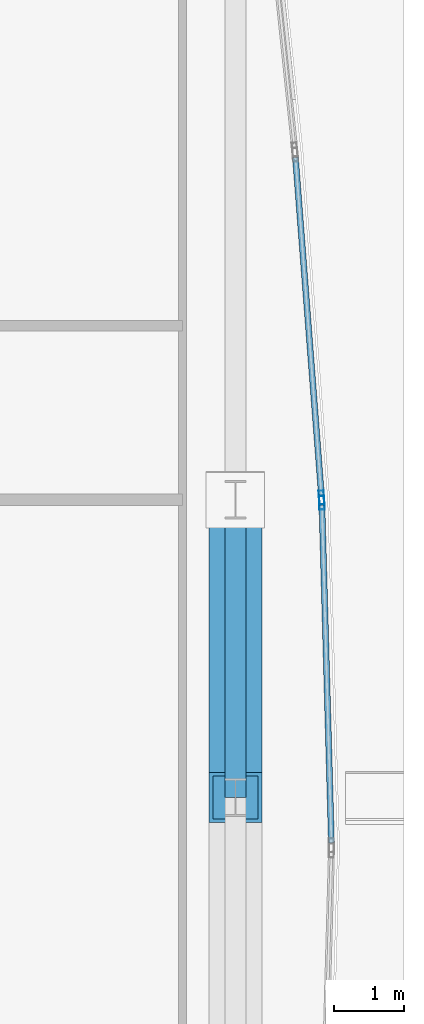
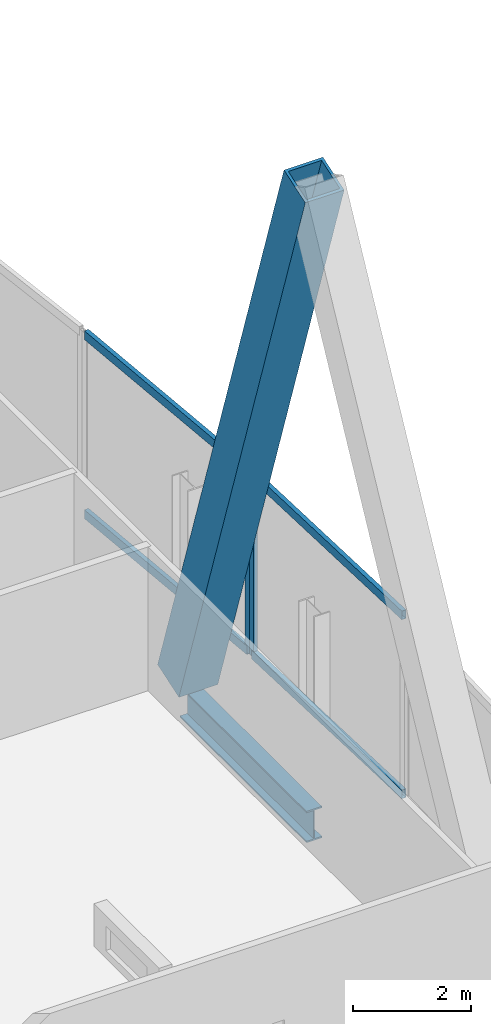
# One storey, part 22 of 32: 7 members, 1 beam, 2 elements without a shape of their own.
"""IFC4 building model written with IfcOpenShell, lengths in metres."""

from ifc_helpers import new_model, si_unit, direction, frame, origin, origin_2d, place, context, subcontext, project, spatial, hollow_rectangle, i_section, extrude, material, material_profile, profile_set, type_object, element, aggregate, save


model = new_model("IFC4")

# Units and contexts
model_context = context("Model", 3, precision=1e-05, world=origin(), true_north=direction((0.0, 1.0)))
body_context = subcontext(model_context, "Body", "Model", "MODEL_VIEW")
ifc_project = project(units=[si_unit("LENGTHUNIT", "METRE"), si_unit("AREAUNIT", "SQUARE_METRE"), si_unit("VOLUMEUNIT", "CUBIC_METRE"), si_unit("PLANEANGLEUNIT", "RADIAN"), si_unit("MASSUNIT", "GRAM", prefix="KILO")], contexts=[model_context])

# Site, building, storey
site_placement = place(None, origin())
site = spatial("IfcSite", under=ifc_project, at=site_placement, CompositionType="ELEMENT")
building_placement = place(site_placement, origin())
building = spatial("IfcBuilding", under=site, at=building_placement, Name="Khoronbel Lancet Exchange", CompositionType="ELEMENT")
storey_placement = place(building_placement, frame((0.0, 0.0, 81.800048828125)))
storey = spatial("IfcBuildingStorey", under=building, at=storey_placement, Name="L19", CompositionType="ELEMENT", Elevation=81.800048828125)

# Beam
ifc_material_1 = material(Name="Steel S355", Category="steel")
ifc_material_profile_1 = material_profile(ifc_material_1, i_section(OverallWidth=0.300048828125, OverallDepth=0.64990234375, WebThickness=0.01611328125, FlangeThickness=0.031005859375, at=origin_2d()), Name="HEB 650")
ifc_profile_set_1 = profile_set([ifc_material_profile_1], Name="Steel S355")
beam_type = type_object("IfcBeamType", Name="BM-BSP1", PredefinedType="SPANDREL", material=ifc_profile_set_1)
beam_placement = place(storey_placement, frame((69.6298828125, 31.425048828125, -0.505126953125), z_axis=(0.0, 1.0, 0.0), x_axis=(-1.0, 0.0, 0.0)))
element("IfcBeam", 1, at=beam_placement, inside=storey, type_object=beam_type, Name="Level L19 perimeter spandrel beam SP11", PredefinedType="SPANDREL", context=body_context, shape_type="SweptSolid", body=[
    extrude(i_section(OverallWidth=0.300048828125, OverallDepth=0.64990234375, WebThickness=0.01611328125, FlangeThickness=0.031005859375, at=origin_2d()), origin(), (0.0, 0.0, 1.0), 4.27490234375),
])

# Curtain wall, member
ifc_material_2 = material(Name="Low-E Solar Control Insulating Glass", Category="glass")
curtain_wall_type = type_object("IfcCurtainWallType", Name="CW-4", PredefinedType="NOTDEFINED", material=ifc_material_2)
curtain_wall_1_placement = place(storey_placement, origin())
curtain_wall_1 = element("IfcCurtainWall", 2, at=curtain_wall_1_placement, inside=storey, type_object=curtain_wall_type, Name="Unitised curtain wall CW-L19-E18", PredefinedType="NOTDEFINED")
ifc_material_3 = material(Name="Bronze-Anodised Aluminium 6063-T6", Category="aluminium")
ifc_material_profile_2 = material_profile(ifc_material_3, hollow_rectangle(XDim=0.074951171875, YDim=0.199951171875, WallThickness=0.0048828125, at=origin_2d()), Name="ALU MULLION 75x200")
ifc_profile_set_2 = profile_set([ifc_material_profile_2], Name="Bronze-Anodised Aluminium 6063-T6")
member_type_1 = type_object("IfcMemberType", Name="MEM-CWM2", PredefinedType="MULLION", material=ifc_profile_set_2)
member_1_placement = place(storey_placement, frame((70.866455078125, 35.732666015625, 0.0), z_axis=(0.0, 0.0, 1.0), x_axis=(0.997059882555, 0.076626304874, 0.0)))
member_1 = element("IfcMember", 3, at=member_1_placement, type_object=member_type_1, Name="CW4 mullion 2", PredefinedType="MULLION", context=body_context, shape_type="SweptSolid", body=[
    extrude(hollow_rectangle(XDim=0.074951171875, YDim=0.199951171875, WallThickness=0.0048828125, at=origin_2d()), origin(), (0.0, 0.0, 1.0), 3.780029296875),
])

curtain_wall_2_placement = place(storey_placement, origin())
curtain_wall_2 = element("IfcCurtainWall", 4, at=curtain_wall_2_placement, inside=storey, type_object=curtain_wall_type, Name="Unitised curtain wall CW-L19-E19", PredefinedType="NOTDEFINED")
member_2_placement = place(storey_placement, frame((70.870361328125, 35.65771484375, 0.0), z_axis=(0.0, 0.0, 1.0), x_axis=(0.999604123662, 0.028135315146, 0.0)))
member_2 = element("IfcMember", 5, at=member_2_placement, type_object=member_type_1, Name="CW4 mullion 1", PredefinedType="MULLION", context=body_context, shape_type="SweptSolid", body=[
    extrude(hollow_rectangle(XDim=0.074951171875, YDim=0.199951171875, WallThickness=0.0048828125, at=origin_2d()), origin(), (0.0, 0.0, 1.0), 3.780029296875),
])

# Member
ifc_material_profile_3 = material_profile(ifc_material_3, hollow_rectangle(XDim=0.0849609375, YDim=0.179931640625, WallThickness=0.0048828125, at=origin_2d()), Name="ALU TRANSOM 85x180")
ifc_profile_set_3 = profile_set([ifc_material_profile_3], Name="Bronze-Anodised Aluminium 6063-T6")
member_type_2 = type_object("IfcMemberType", Name="MEM-CWT1", PredefinedType="USERDEFINED", material=ifc_profile_set_3)
member_3_placement = place(storey_placement, frame((70.4912109375, 40.6171875, 0.04248046875), z_axis=(0.076635053626, -0.997059210155, 0.0), x_axis=(0.997059210155, 0.076635053626, 0.0)))
member_3 = element("IfcMember", 6, at=member_3_placement, type_object=member_type_2, Name="CW4 transom 1.1", ObjectType="TRANSOM", PredefinedType="USERDEFINED", context=body_context, shape_type="SweptSolid", body=[
    extrude(hollow_rectangle(XDim=0.0849609375, YDim=0.179931640625, WallThickness=0.0048828125, at=origin_2d()), origin(), (0.0, 0.0, 1.0), 4.861572265625),
])

member_4_placement = place(storey_placement, frame((70.4912109375, 40.6171875, 3.737548828125), z_axis=(0.076635053626, -0.997059210155, 0.0), x_axis=(0.997059210155, 0.076635053626, 0.0)))
member_4 = element("IfcMember", 7, at=member_4_placement, type_object=member_type_2, Name="CW4 transom 1.2", ObjectType="TRANSOM", PredefinedType="USERDEFINED", context=body_context, shape_type="SweptSolid", body=[
    extrude(hollow_rectangle(XDim=0.0849609375, YDim=0.179931640625, WallThickness=0.0048828125, at=origin_2d()), origin(), (0.0, 0.0, 1.0), 4.861572265625),
])

aggregate(curtain_wall_1, [member_1, member_3, member_4])

member_5_placement = place(storey_placement, frame((70.87158203125, 35.620361328125, 0.04248046875), z_axis=(0.028103975057, -0.999605005283, 0.0), x_axis=(0.999605005283, 0.028103975057, 0.0)))
member_5 = element("IfcMember", 8, at=member_5_placement, type_object=member_type_2, Name="CW4 transom 1.1", ObjectType="TRANSOM", PredefinedType="USERDEFINED", context=body_context, shape_type="SweptSolid", body=[
    extrude(hollow_rectangle(XDim=0.0849609375, YDim=0.179931640625, WallThickness=0.0048828125, at=origin_2d()), origin(), (0.0, 0.0, 1.0), 4.847412109375),
])

member_6_placement = place(storey_placement, frame((70.87158203125, 35.620361328125, 3.737548828125), z_axis=(0.028103975057, -0.999605005283, 0.0), x_axis=(0.999605005283, 0.028103975057, 0.0)))
member_6 = element("IfcMember", 9, at=member_6_placement, type_object=member_type_2, Name="CW4 transom 1.2", ObjectType="TRANSOM", PredefinedType="USERDEFINED", context=body_context, shape_type="SweptSolid", body=[
    extrude(hollow_rectangle(XDim=0.0849609375, YDim=0.179931640625, WallThickness=0.0048828125, at=origin_2d()), origin(), (0.0, 0.0, 1.0), 4.847412109375),
])

aggregate(curtain_wall_2, [member_2, member_5, member_6])

ifc_material_4 = material(Name="Steel S460", Category="steel")
ifc_material_profile_4 = material_profile(ifc_material_4, hollow_rectangle(XDim=0.760009765625, YDim=0.760009765625, WallThickness=0.054931640625, at=origin_2d()), Name="BOX 760x760x55")
ifc_profile_set_4 = profile_set([ifc_material_profile_4], Name="Steel S460")
member_type_3 = type_object("IfcMemberType", Name="MEM-MB1", PredefinedType="BRACE", material=ifc_profile_set_4)
member_7_placement = place(storey_placement, frame((69.6298828125, 35.699951171875, 0.0), z_axis=(0.0, -0.316775874793, 0.948500419161), x_axis=(1.0, 0.0, 0.0)))
element("IfcMember", 10, at=member_7_placement, inside=storey, type_object=member_type_3, Name="Perimeter lancet brace tier 6 E-P-R", PredefinedType="BRACE", context=body_context, shape_type="SweptSolid", body=[
    extrude(hollow_rectangle(XDim=0.760009765625, YDim=0.760009765625, WallThickness=0.054931640625, at=origin_2d()), origin(), (0.0, 0.0, 1.0), 13.4951171875),
])

save(model, "model.ifc")
